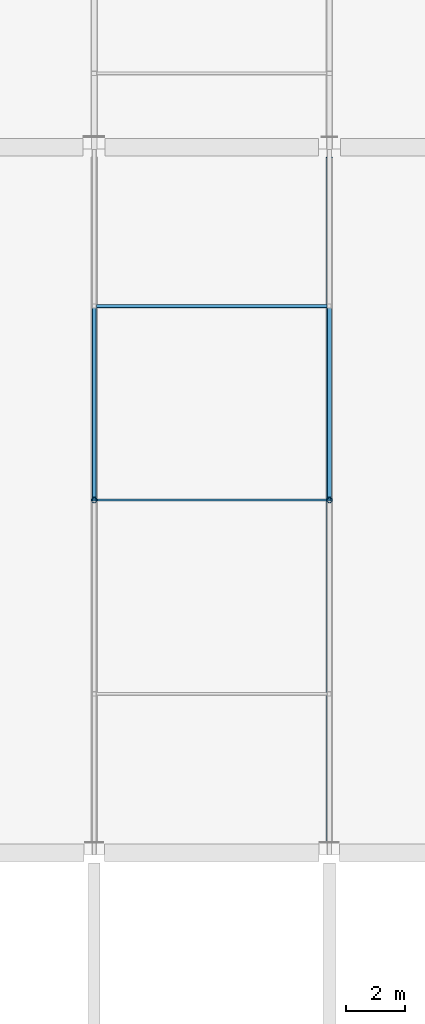
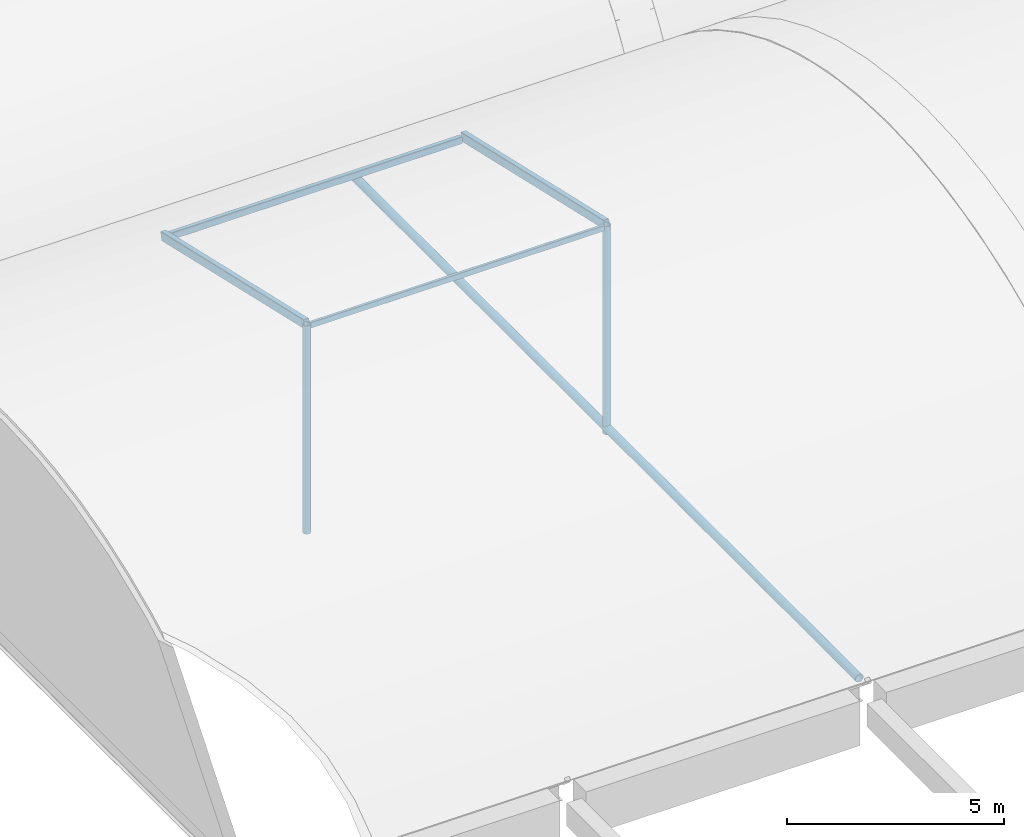
# One storey, part 12 of 57: 7 members.
"""IFC4 building model written with IfcOpenShell, lengths in metres."""

from ifc_helpers import new_model, si_unit, direction, frame, origin, origin_2d, place, context, subcontext, project, spatial, hollow_rectangle, hollow_circle, extrude, material, material_profile, profile_set, type_object, element, save


model = new_model("IFC4")

# Units and contexts
model_context = context("Model", 3, precision=1e-05, world=origin(), true_north=direction((0.0, 1.0)))
body_context = subcontext(model_context, "Body", "Model", "MODEL_VIEW")
ifc_project = project(units=[si_unit("LENGTHUNIT", "METRE"), si_unit("AREAUNIT", "SQUARE_METRE"), si_unit("VOLUMEUNIT", "CUBIC_METRE"), si_unit("PLANEANGLEUNIT", "RADIAN"), si_unit("MASSUNIT", "GRAM", prefix="KILO"), si_unit("THERMODYNAMICTEMPERATUREUNIT", "KELVIN"), si_unit("POWERUNIT", "WATT")], contexts=[model_context])

# Site, building, storey
site_placement = place(None, origin())
site = spatial("IfcSite", under=ifc_project, at=site_placement, CompositionType="ELEMENT")
building_placement = place(site_placement, origin())
building = spatial("IfcBuilding", under=site, at=building_placement, Name="Kronsvod Quay Wholesale Market", CompositionType="ELEMENT")
storey_placement = place(building_placement, frame((0.0, 0.0, 13.199951171875)))
storey = spatial("IfcBuildingStorey", under=building, at=storey_placement, Name="L03", CompositionType="ELEMENT", Elevation=13.199951171875)

# Members
ifc_material_1 = material(Name="Steel S355", Category="steel")
ifc_material_profile_1 = material_profile(ifc_material_1, hollow_rectangle(XDim=0.14990234375, YDim=0.25, WallThickness=0.010009765625, InnerFilletRadius=0.010009765625, OuterFilletRadius=0.02001953125, at=origin_2d()), Name="RHS250x150x10")
ifc_profile_set_1 = profile_set([ifc_material_profile_1], Name="Steel S355")
member_type_1 = type_object("IfcMemberType", Name="Member_Arch250x150", PredefinedType="RAFTER", material=ifc_profile_set_1)
for number, where, z_axis, x_axis, name in (
    (1, (112.0, 66.0, 5.64013671875), (0.0, 0.974763902227, -0.223238291777), (-1.0, 0.0, 0.0), "ARCG-SH-V2C-M-1120-2"),
    (2, (120.0, 66.0, 5.64013671875), (0.0, 0.974763902227, -0.223238291777), (-1.0, 0.0, 0.0), "ARCG-SH-V2C-M-1200-2"),
):
    element("IfcMember", number, at=place(storey_placement, frame(where, z_axis=z_axis, x_axis=x_axis)), inside=storey, type_object=member_type_1, Name=name, PredefinedType="RAFTER", context=body_context, shape_type="SweptSolid", body=[
        extrude(hollow_rectangle(XDim=0.14990234375, YDim=0.25, WallThickness=0.010009765625, InnerFilletRadius=0.010009765625, OuterFilletRadius=0.02001953125, at=origin_2d()), origin(), (0.0, 0.0, 1.0), 6.76513671875),
    ])
ifc_material_2 = material(Name="Steel S355", Category="steel")
ifc_material_profile_2 = material_profile(ifc_material_2, hollow_circle(Radius=0.096923828125, WallThickness=0.008056640625, at=origin_2d()), Name="CHS194x8")
ifc_profile_set_2 = profile_set([ifc_material_profile_2], Name="Steel S355")
member_type_2 = type_object("IfcMemberType", Name="Member_Brace194x8", PredefinedType="BRACE", material=ifc_profile_set_2)
for number, where, z_axis, x_axis, name in (
    (3, (112.0, 66.0, -0.22998046875), (0.0, 0.0, 1.0), (1.0, 0.0, 0.0), "KPST-SH-V2C-M-1120"),
    (4, (120.0, 66.0, -0.22998046875), (0.0, 0.0, 1.0), (1.0, 0.0, 0.0), "KPST-SH-V2C-M-1200"),
):
    element("IfcMember", number, at=place(storey_placement, frame(where, z_axis=z_axis, x_axis=x_axis)), inside=storey, type_object=member_type_2, Name=name, PredefinedType="BRACE", context=body_context, shape_type="SweptSolid", body=[
        extrude(hollow_circle(Radius=0.096923828125, WallThickness=0.008056640625, at=origin_2d()), origin(), (0.0, 0.0, 1.0), 5.8701171875),
    ])
ifc_material_3 = material(Name="Steel S355", Category="steel")
ifc_material_profile_3 = material_profile(ifc_material_3, hollow_circle(Radius=0.109619140625, WallThickness=0.010009765625, at=origin_2d()), Name="CHS219x10")
ifc_profile_set_3 = profile_set([ifc_material_profile_3], Name="Steel S355")
member_type_3 = type_object("IfcMemberType", Name="Member_Chord219x10", PredefinedType="CHORD", material=ifc_profile_set_3)
member_1_placement = place(storey_placement, frame((120.0, 54.340087890625, -0.079833984375), z_axis=(0.0, 1.0, 0.0), x_axis=(-1.0, 0.0, 0.0)))
element("IfcMember", 5, at=member_1_placement, inside=storey, type_object=member_type_3, Name="CHDG-SH-V2C-M-1200", PredefinedType="CHORD", context=body_context, shape_type="SweptSolid", body=[
    extrude(hollow_circle(Radius=0.109619140625, WallThickness=0.010009765625, at=origin_2d()), origin(), (0.0, 0.0, 1.0), 23.31982421875),
])
ifc_material_4 = material(Name="Steel S355", Category="steel")
ifc_material_profile_4 = material_profile(ifc_material_4, hollow_rectangle(XDim=0.1201171875, YDim=0.199951171875, WallThickness=0.008056640625, InnerFilletRadius=0.008056640625, OuterFilletRadius=0.01611328125, at=origin_2d()), Name="RHS200x120x8")
ifc_profile_set_4 = profile_set([ifc_material_profile_4], Name="Steel S355")
member_type_4 = type_object("IfcMemberType", Name="Member_Girt200x120", PredefinedType="PURLIN", material=ifc_profile_set_4)
member_2_placement = place(storey_placement, frame((112.080078125, 72.594482421875, 4.070068359375), z_axis=(1.0, 0.0, 0.0), x_axis=(0.0, 1.0, 0.0)))
element("IfcMember", 6, at=member_2_placement, inside=storey, type_object=member_type_4, Name="PRLG-SH-V2C-M-0-2", PredefinedType="PURLIN", context=body_context, shape_type="SweptSolid", body=[
    extrude(hollow_rectangle(XDim=0.1201171875, YDim=0.199951171875, WallThickness=0.008056640625, InnerFilletRadius=0.008056640625, OuterFilletRadius=0.01611328125, at=origin_2d()), origin(), (0.0, 0.0, 1.0), 7.83984375),
])
ifc_material_5 = material(Name="Steel S355", Category="steel")
ifc_material_profile_5 = material_profile(ifc_material_5, hollow_rectangle(XDim=0.080078125, YDim=0.159912109375, WallThickness=0.006103515625, InnerFilletRadius=0.006103515625, OuterFilletRadius=0.011962890625, at=origin_2d()), Name="RHS160x80x6")
ifc_profile_set_5 = profile_set([ifc_material_profile_5], Name="Steel S355")
member_type_5 = type_object("IfcMemberType", Name="Member_Purlin160x80", PredefinedType="PURLIN", material=ifc_profile_set_5)
member_3_placement = place(storey_placement, frame((112.080078125, 66.0, 5.580078125), z_axis=(1.0, 0.0, 0.0), x_axis=(0.0, 1.0, 0.0)))
element("IfcMember", 7, at=member_3_placement, inside=storey, type_object=member_type_5, Name="PRLG-SH-V2C-M-0-1", PredefinedType="PURLIN", context=body_context, shape_type="SweptSolid", body=[
    extrude(hollow_rectangle(XDim=0.080078125, YDim=0.159912109375, WallThickness=0.006103515625, InnerFilletRadius=0.006103515625, OuterFilletRadius=0.011962890625, at=origin_2d()), origin(), (0.0, 0.0, 1.0), 7.83984375),
])

save(model, "model.ifc")
